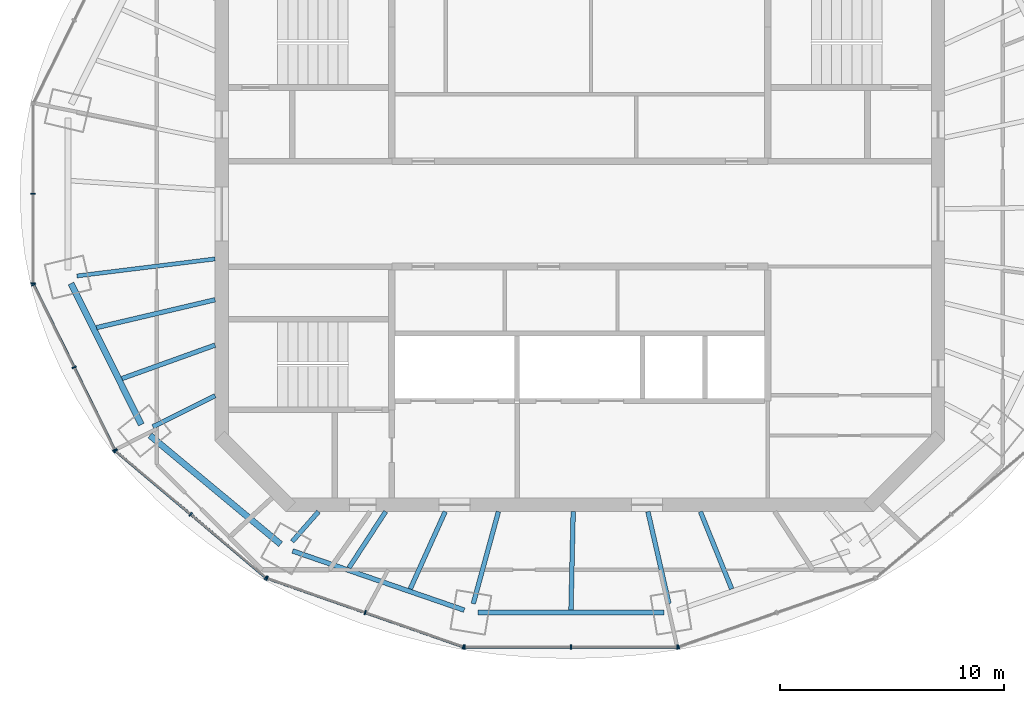
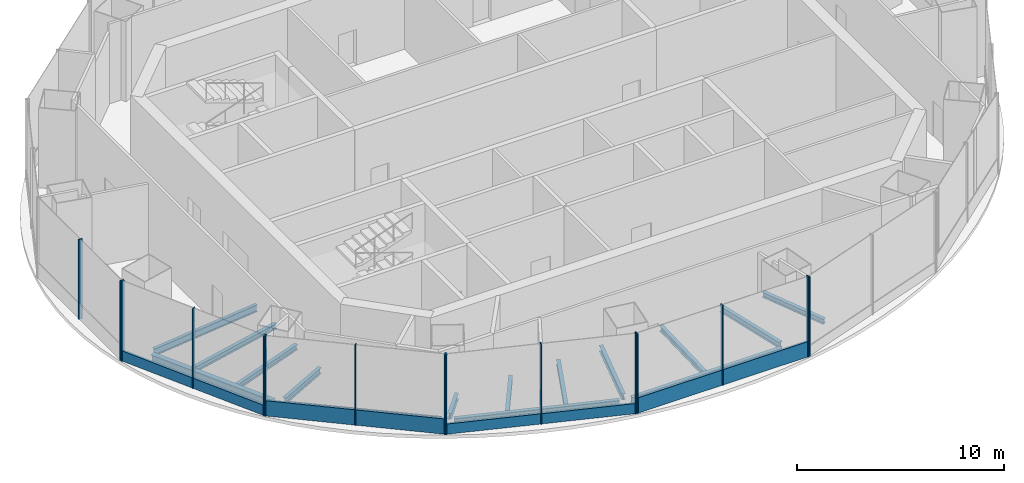
# One storey, part 2 of 11: 19 members, 15 beams, 6 elements without a shape of their own.
"""IFC4 building model written with IfcOpenShell, lengths in metres."""

from ifc_helpers import new_model, si_unit, direction, frame, origin, origin_2d, place, context, subcontext, project, spatial, rectangle, i_section, extrude, material, material_profile, profile_set, type_object, element, aggregate, save


model = new_model("IFC4")

# Units and contexts
model_context = context("Model", 3, precision=1e-05, world=origin(), true_north=direction((0.0, 1.0)))
body_context = subcontext(model_context, "Body", "Model", "MODEL_VIEW")
ifc_project = project(units=[si_unit("LENGTHUNIT", "METRE"), si_unit("AREAUNIT", "SQUARE_METRE"), si_unit("VOLUMEUNIT", "CUBIC_METRE"), si_unit("PLANEANGLEUNIT", "RADIAN"), si_unit("MASSUNIT", "GRAM", prefix="KILO")], contexts=[model_context])

# Site, building, storey
site_placement = place(None, origin())
site = spatial("IfcSite", under=ifc_project, at=site_placement, CompositionType="ELEMENT")
building_placement = place(site_placement, origin())
building = spatial("IfcBuilding", under=site, at=building_placement, Name="Marenthal Gate Tower", CompositionType="ELEMENT")
storey_placement = place(building_placement, frame((0.0, 0.0, 418.550048828125)))
storey = spatial("IfcBuildingStorey", under=building, at=storey_placement, Name="L94", CompositionType="ELEMENT", Elevation=418.550048828125)

# Curtain wall, members
ifc_material_1 = material(Name="Aluminium and glass", Category="aluminium")
curtain_wall_type_1 = type_object("IfcCurtainWallType", Name="Curtain wall crown clad", PredefinedType="NOTDEFINED", material=ifc_material_1)
curtain_wall_1_placement = place(storey_placement, origin())
curtain_wall_1 = element("IfcCurtainWall", 1, at=curtain_wall_1_placement, inside=storey, type_object=curtain_wall_type_1, Name="Curtain wall L94 bay 9", PredefinedType="NOTDEFINED")
ifc_material_2 = material(Name="Aluminium", Category="aluminium")
ifc_material_profile_1 = material_profile(ifc_material_2, rectangle(XDim=0.199951171875, YDim=0.06005859375, at=origin_2d()), Name="60x200 aluminium mullion")
ifc_profile_set_1 = profile_set([ifc_material_profile_1], Name="Aluminium")
member_type_1 = type_object("IfcMemberType", Name="Mullion 60x200 crown clad", PredefinedType="MULLION", material=ifc_profile_set_1)
member_1_placement = place(storey_placement, frame((-24.4111328125, -3.1552734375, 0.0), z_axis=(0.0, 0.0, 1.0), x_axis=(0.897506856877, 0.441000500973, 0.0)))
member_1 = element("IfcMember", 2, at=member_1_placement, type_object=member_type_1, Name="Mullion L94 bay 9.1", PredefinedType="MULLION", context=body_context, shape_type="SweptSolid", body=[
    extrude(rectangle(XDim=0.199951171875, YDim=0.06005859375, at=origin_2d()), origin(), (0.0, 0.0, 1.0), 4.699951171875),
])
member_2_placement = place(storey_placement, frame((-22.595458984375, -6.85009765625, 0.0), z_axis=(0.0, 0.0, 1.0), x_axis=(0.897506856877, 0.441000500973, 0.0)))
member_2 = element("IfcMember", 3, at=member_2_placement, type_object=member_type_1, Name="Mullion L94 bay 9.2", PredefinedType="MULLION", context=body_context, shape_type="SweptSolid", body=[
    extrude(rectangle(XDim=0.199951171875, YDim=0.06005859375, at=origin_2d()), origin(), (0.0, 0.0, 1.0), 4.699951171875),
])
member_3_placement = place(storey_placement, frame((-20.780029296875, -10.544921875, 0.0), z_axis=(0.0, 0.0, 1.0), x_axis=(0.897506856877, 0.441000500973, 0.0)))
member_3 = element("IfcMember", 4, at=member_3_placement, type_object=member_type_1, Name="Mullion L94 bay 9.3", PredefinedType="MULLION", context=body_context, shape_type="SweptSolid", body=[
    extrude(rectangle(XDim=0.199951171875, YDim=0.06005859375, at=origin_2d()), origin(), (0.0, 0.0, 1.0), 4.699951171875),
])

curtain_wall_2_placement = place(storey_placement, origin())
curtain_wall_2 = element("IfcCurtainWall", 5, at=curtain_wall_2_placement, inside=storey, type_object=curtain_wall_type_1, Name="Curtain wall L94 bay 11", PredefinedType="NOTDEFINED")
member_4_placement = place(storey_placement, frame((-13.98046875, -16.27880859375, 0.0), z_axis=(0.0, 0.0, 1.0), x_axis=(0.329654999466, 0.944101467707, 0.0)))
member_4 = element("IfcMember", 6, at=member_4_placement, type_object=member_type_1, Name="Mullion L94 bay 11.1", PredefinedType="MULLION", context=body_context, shape_type="SweptSolid", body=[
    extrude(rectangle(XDim=0.199951171875, YDim=0.06005859375, at=origin_2d()), origin(), (0.0, 0.0, 1.0), 4.699951171875),
])
member_5_placement = place(storey_placement, frame((-9.59375, -17.810546875, 0.0), z_axis=(0.0, 0.0, 1.0), x_axis=(0.329654999466, 0.944101467707, 0.0)))
member_5 = element("IfcMember", 7, at=member_5_placement, type_object=member_type_1, Name="Mullion L94 bay 11.2", PredefinedType="MULLION", context=body_context, shape_type="SweptSolid", body=[
    extrude(rectangle(XDim=0.199951171875, YDim=0.06005859375, at=origin_2d()), origin(), (0.0, 0.0, 1.0), 4.699951171875),
])
member_6_placement = place(storey_placement, frame((-5.20703125, -19.34228515625, 0.0), z_axis=(0.0, 0.0, 1.0), x_axis=(0.329654999466, 0.944101467707, 0.0)))
member_6 = element("IfcMember", 8, at=member_6_placement, type_object=member_type_1, Name="Mullion L94 bay 11.3", PredefinedType="MULLION", context=body_context, shape_type="SweptSolid", body=[
    extrude(rectangle(XDim=0.199951171875, YDim=0.06005859375, at=origin_2d()), origin(), (0.0, 0.0, 1.0), 4.699951171875),
])

# Curtain wall, member
curtain_wall_3_placement = place(storey_placement, origin())
curtain_wall_3 = element("IfcCurtainWall", 9, at=curtain_wall_3_placement, inside=storey, type_object=curtain_wall_type_1, Name="Curtain wall L94 bay 13", PredefinedType="NOTDEFINED")
member_7_placement = place(storey_placement, frame((4.406982421875, -19.34228515625, 0.0), z_axis=(0.0, 0.0, 1.0), x_axis=(-0.329654999466, 0.944101467707, 0.0)))
member_7 = element("IfcMember", 10, at=member_7_placement, type_object=member_type_1, Name="Mullion L94 bay 13.1", PredefinedType="MULLION", context=body_context, shape_type="SweptSolid", body=[
    extrude(rectangle(XDim=0.199951171875, YDim=0.06005859375, at=origin_2d()), origin(), (0.0, 0.0, 1.0), 4.699951171875),
])
aggregate(curtain_wall_3, [member_7])

# Curtain wall, members
ifc_material_3 = material(Name="Aluminium and glass", Category="aluminium")
curtain_wall_type_2 = type_object("IfcCurtainWallType", Name="Curtain wall typical high", PredefinedType="NOTDEFINED", material=ifc_material_3)
curtain_wall_4_placement = place(storey_placement, origin())
curtain_wall_4 = element("IfcCurtainWall", 11, at=curtain_wall_4_placement, inside=storey, type_object=curtain_wall_type_2, Name="Curtain wall L94 bay 8", PredefinedType="NOTDEFINED")
ifc_material_4 = material(Name="Aluminium", Category="aluminium")
ifc_material_profile_2 = material_profile(ifc_material_4, rectangle(XDim=0.199951171875, YDim=0.06005859375, at=origin_2d()), Name="60x200 aluminium mullion")
ifc_profile_set_2 = profile_set([ifc_material_profile_2], Name="Aluminium")
member_type_2 = type_object("IfcMemberType", Name="Mullion 60x200 typical high", PredefinedType="MULLION", material=ifc_profile_set_2)
member_8_placement = place(storey_placement, frame((-24.42431640625, 0.89990234375, 0.0), z_axis=(0.0, 0.0, 1.0), x_axis=(1.0, 0.0, 0.0)))
member_8 = element("IfcMember", 12, at=member_8_placement, type_object=member_type_2, Name="Mullion L94 bay 8.2", PredefinedType="MULLION", context=body_context, shape_type="SweptSolid", body=[
    extrude(rectangle(XDim=0.199951171875, YDim=0.06005859375, at=origin_2d()), origin(), (0.0, 0.0, 1.0), 4.699951171875),
])
member_9_placement = place(storey_placement, frame((-24.42431640625, -3.098388671875, 0.0), z_axis=(0.0, 0.0, 1.0), x_axis=(1.0, 0.0, 0.0)))
member_9 = element("IfcMember", 13, at=member_9_placement, type_object=member_type_2, Name="Mullion L94 bay 8.3", PredefinedType="MULLION", context=body_context, shape_type="SweptSolid", body=[
    extrude(rectangle(XDim=0.199951171875, YDim=0.06005859375, at=origin_2d()), origin(), (0.0, 0.0, 1.0), 4.699951171875),
])
aggregate(curtain_wall_4, [member_8, member_9])

curtain_wall_5_placement = place(storey_placement, origin())
curtain_wall_5 = element("IfcCurtainWall", 14, at=curtain_wall_5_placement, inside=storey, type_object=curtain_wall_type_2, Name="Curtain wall L94 bay 10", PredefinedType="NOTDEFINED")
member_10_placement = place(storey_placement, frame((-20.743896484375, -10.59130859375, 0.0), z_axis=(0.0, 0.0, 1.0), x_axis=(0.644530734274, 0.76457840185, 0.0)))
member_10 = element("IfcMember", 15, at=member_10_placement, type_object=member_type_2, Name="Mullion L94 bay 10.1", PredefinedType="MULLION", context=body_context, shape_type="SweptSolid", body=[
    extrude(rectangle(XDim=0.199951171875, YDim=0.06005859375, at=origin_2d()), origin(), (0.0, 0.0, 1.0), 4.699951171875),
])
member_11_placement = place(storey_placement, frame((-17.3876953125, -13.42041015625, 0.0), z_axis=(0.0, 0.0, 1.0), x_axis=(0.644530734274, 0.76457840185, 0.0)))
member_11 = element("IfcMember", 16, at=member_11_placement, type_object=member_type_2, Name="Mullion L94 bay 10.2", PredefinedType="MULLION", context=body_context, shape_type="SweptSolid", body=[
    extrude(rectangle(XDim=0.199951171875, YDim=0.06005859375, at=origin_2d()), origin(), (0.0, 0.0, 1.0), 4.699951171875),
])
member_12_placement = place(storey_placement, frame((-14.03173828125, -16.249755859375, 0.0), z_axis=(0.0, 0.0, 1.0), x_axis=(0.644530734274, 0.76457840185, 0.0)))
member_12 = element("IfcMember", 17, at=member_12_placement, type_object=member_type_2, Name="Mullion L94 bay 10.3", PredefinedType="MULLION", context=body_context, shape_type="SweptSolid", body=[
    extrude(rectangle(XDim=0.199951171875, YDim=0.06005859375, at=origin_2d()), origin(), (0.0, 0.0, 1.0), 4.699951171875),
])

curtain_wall_6_placement = place(storey_placement, origin())
curtain_wall_6 = element("IfcCurtainWall", 18, at=curtain_wall_6_placement, inside=storey, type_object=curtain_wall_type_2, Name="Curtain wall L94 bay 12", PredefinedType="NOTDEFINED")
member_13_placement = place(storey_placement, frame((-5.148681640625, -19.352294921875, 0.0), z_axis=(0.0, 0.0, 1.0), x_axis=(0.0, 1.0, 0.0)))
member_13 = element("IfcMember", 19, at=member_13_placement, type_object=member_type_2, Name="Mullion L94 bay 12.1", PredefinedType="MULLION", context=body_context, shape_type="SweptSolid", body=[
    extrude(rectangle(XDim=0.199951171875, YDim=0.06005859375, at=origin_2d()), origin(), (0.0, 0.0, 1.0), 4.699951171875),
])
member_14_placement = place(storey_placement, frame((-0.39990234375, -19.352294921875, 0.0), z_axis=(0.0, 0.0, 1.0), x_axis=(0.0, 1.0, 0.0)))
member_14 = element("IfcMember", 20, at=member_14_placement, type_object=member_type_2, Name="Mullion L94 bay 12.2", PredefinedType="MULLION", context=body_context, shape_type="SweptSolid", body=[
    extrude(rectangle(XDim=0.199951171875, YDim=0.06005859375, at=origin_2d()), origin(), (0.0, 0.0, 1.0), 4.699951171875),
])
member_15_placement = place(storey_placement, frame((4.3486328125, -19.352294921875, 0.0), z_axis=(0.0, 0.0, 1.0), x_axis=(0.0, 1.0, 0.0)))
member_15 = element("IfcMember", 21, at=member_15_placement, type_object=member_type_2, Name="Mullion L94 bay 12.3", PredefinedType="MULLION", context=body_context, shape_type="SweptSolid", body=[
    extrude(rectangle(XDim=0.199951171875, YDim=0.06005859375, at=origin_2d()), origin(), (0.0, 0.0, 1.0), 4.699951171875),
])

# Member
ifc_material_5 = material(Name="Aluminium", Category="aluminium")
ifc_material_profile_3 = material_profile(ifc_material_5, rectangle(XDim=0.1201171875, YDim=0.60009765625, at=origin_2d()), Name="120x600 aluminium transom")
ifc_profile_set_3 = profile_set([ifc_material_profile_3], Name="Aluminium")
member_type_3 = type_object("IfcMemberType", Name="Transom 120x600 crown clad", PredefinedType="USERDEFINED", material=ifc_profile_set_3)
member_16_placement = place(storey_placement, frame((-24.39794921875, -3.18212890625, 0.300048828125), z_axis=(0.441014057182, -0.897500195748, 0.0), x_axis=(0.897500195748, 0.441014057182, 0.0)))
member_16 = element("IfcMember", 22, at=member_16_placement, type_object=member_type_3, Name="Transom L94 bay 9", ObjectType="TRANSOM", PredefinedType="USERDEFINED", context=body_context, shape_type="SweptSolid", body=[
    extrude(rectangle(XDim=0.1201171875, YDim=0.60009765625, at=origin_2d()), origin(), (0.0, 0.0, 1.0), 8.173828125),
])

aggregate(curtain_wall_1, [member_1, member_2, member_3, member_16])

member_17_placement = place(storey_placement, frame((-13.9521484375, -16.288818359375, 0.300048828125), z_axis=(0.944100501028, -0.329657767934, 0.0), x_axis=(0.329657767934, 0.944100501028, 0.0)))
member_17 = element("IfcMember", 23, at=member_17_placement, type_object=member_type_3, Name="Transom L94 bay 11", ObjectType="TRANSOM", PredefinedType="USERDEFINED", context=body_context, shape_type="SweptSolid", body=[
    extrude(rectangle(XDim=0.1201171875, YDim=0.60009765625, at=origin_2d()), origin(), (0.0, 0.0, 1.0), 9.23291015625),
])

aggregate(curtain_wall_2, [member_4, member_5, member_6, member_17])

ifc_material_6 = material(Name="Aluminium", Category="aluminium")
ifc_material_profile_4 = material_profile(ifc_material_6, rectangle(XDim=0.1201171875, YDim=0.89990234375, at=origin_2d()), Name="120x900 aluminium transom")
ifc_profile_set_4 = profile_set([ifc_material_profile_4], Name="Aluminium")
member_type_4 = type_object("IfcMemberType", Name="Transom 120x900 typical high", PredefinedType="USERDEFINED", material=ifc_profile_set_4)
member_18_placement = place(storey_placement, frame((-20.720947265625, -10.610595703125, 0.449951171875), z_axis=(0.76457562332, -0.644534030308, 0.0), x_axis=(0.644534030308, 0.76457562332, 0.0)))
member_18 = element("IfcMember", 24, at=member_18_placement, type_object=member_type_4, Name="Transom L94 bay 10", ObjectType="TRANSOM", PredefinedType="USERDEFINED", context=body_context, shape_type="SweptSolid", body=[
    extrude(rectangle(XDim=0.1201171875, YDim=0.89990234375, at=origin_2d()), origin(), (0.0, 0.0, 1.0), 8.718994140625),
])

aggregate(curtain_wall_5, [member_10, member_11, member_12, member_18])

member_19_placement = place(storey_placement, frame((-5.11865234375, -19.352294921875, 0.449951171875), z_axis=(1.0, 0.0, 0.0), x_axis=(0.0, 1.0, 0.0)))
member_19 = element("IfcMember", 25, at=member_19_placement, type_object=member_type_4, Name="Transom L94 bay 12", ObjectType="TRANSOM", PredefinedType="USERDEFINED", context=body_context, shape_type="SweptSolid", body=[
    extrude(rectangle(XDim=0.1201171875, YDim=0.89990234375, at=origin_2d()), origin(), (0.0, 0.0, 1.0), 9.437255859375),
])

aggregate(curtain_wall_6, [member_13, member_14, member_15, member_19])

# Beams
ifc_material_7 = material(Name="Steel S355", Category="steel")
ifc_material_profile_5 = material_profile(ifc_material_7, i_section(OverallWidth=0.205078125, OverallDepth=0.31005859375, WebThickness=0.009521484375, FlangeThickness=0.016357421875, FilletRadius=0.0126953125, at=origin_2d()), Name="W310X74")
ifc_profile_set_5 = profile_set([ifc_material_profile_5], Name="Steel S355")
beam_type_1 = type_object("IfcBeamType", Name="W310X74 beam", PredefinedType="BEAM", material=ifc_profile_set_5)
beam_1_placement = place(storey_placement, frame((-21.5947265625, -5.07861328125, -0.35498046875), z_axis=(0.97344541711, 0.228919243199, 0.0), x_axis=(-0.228919243199, 0.97344541711, 0.0)))
element("IfcBeam", 26, at=beam_1_placement, inside=storey, type_object=beam_type_1, Name="BM-L94-27", PredefinedType="BEAM", context=body_context, shape_type="SweptSolid", body=[
    extrude(i_section(OverallWidth=0.205078125, OverallDepth=0.31005859375, WebThickness=0.009521484375, FlangeThickness=0.016357421875, FilletRadius=0.0126953125, at=origin_2d()), origin(), (0.0, 0.0, 1.0), 5.439208984375),
])
beam_2_placement = place(storey_placement, frame((-20.46142578125, -7.35546875, -0.35498046875), z_axis=(0.941031604102, 0.338318666468, 0.0), x_axis=(-0.338318666468, 0.941031604102, 0.0)))
element("IfcBeam", 27, at=beam_2_placement, inside=storey, type_object=beam_type_1, Name="BM-L94-28", PredefinedType="BEAM", context=body_context, shape_type="SweptSolid", body=[
    extrude(i_section(OverallWidth=0.205078125, OverallDepth=0.31005859375, WebThickness=0.009521484375, FlangeThickness=0.016357421875, FilletRadius=0.0126953125, at=origin_2d()), origin(), (0.0, 0.0, 1.0), 4.422119140625),
])
beam_3_placement = place(storey_placement, frame((-10.317626953125, -15.812744140625, -0.35498046875), z_axis=(0.546486189649, 0.837468115526, 0.0), x_axis=(-0.837468115526, 0.546486189649, 0.0)))
element("IfcBeam", 28, at=beam_3_placement, inside=storey, type_object=beam_type_1, Name="BM-L94-29", PredefinedType="BEAM", context=body_context, shape_type="SweptSolid", body=[
    extrude(i_section(OverallWidth=0.205078125, OverallDepth=0.31005859375, WebThickness=0.009521484375, FlangeThickness=0.016357421875, FilletRadius=0.0126953125, at=origin_2d()), origin(), (0.0, 0.0, 1.0), 3.000244140625),
])
beam_4_placement = place(storey_placement, frame((-7.580078125, -16.756591796875, -0.35498046875), z_axis=(0.412124623334, 0.911127485504, 0.0), x_axis=(-0.911127485504, 0.412124623334, 0.0)))
element("IfcBeam", 29, at=beam_4_placement, inside=storey, type_object=beam_type_1, Name="BM-L94-30", PredefinedType="BEAM", context=body_context, shape_type="SweptSolid", body=[
    extrude(i_section(OverallWidth=0.205078125, OverallDepth=0.31005859375, WebThickness=0.009521484375, FlangeThickness=0.016357421875, FilletRadius=0.0126953125, at=origin_2d()), origin(), (0.0, 0.0, 1.0), 3.793701171875),
])
beam_5_placement = place(storey_placement, frame((-0.397705078125, -17.696533203125, -0.35498046875), z_axis=(0.022484318874, 0.999747195747, 0.0), x_axis=(-0.999747195747, 0.022484318874, 0.0)))
element("IfcBeam", 30, at=beam_5_placement, inside=storey, type_object=beam_type_1, Name="BM-L94-31", PredefinedType="BEAM", context=body_context, shape_type="SweptSolid", body=[
    extrude(i_section(OverallWidth=0.205078125, OverallDepth=0.31005859375, WebThickness=0.009521484375, FlangeThickness=0.016357421875, FilletRadius=0.0126953125, at=origin_2d()), origin(), (0.0, 0.0, 1.0), 4.397705078125),
])
beam_6_placement = place(storey_placement, frame((6.7841796875, -16.755126953125, -0.35498046875), z_axis=(-0.37529458919, 0.926905589218, 0.0), x_axis=(-0.926905589218, -0.37529458919, 0.0)))
element("IfcBeam", 31, at=beam_6_placement, inside=storey, type_object=beam_type_1, Name="BM-L94-32", PredefinedType="BEAM", context=body_context, shape_type="SweptSolid", body=[
    extrude(i_section(OverallWidth=0.205078125, OverallDepth=0.31005859375, WebThickness=0.009521484375, FlangeThickness=0.016357421875, FilletRadius=0.0126953125, at=origin_2d()), origin(), (0.0, 0.0, 1.0), 3.7275390625),
])
ifc_material_8 = material(Name="Steel S355", Category="steel")
ifc_material_profile_6 = material_profile(ifc_material_8, i_section(OverallWidth=0.205078125, OverallDepth=0.35302734375, WebThickness=0.009521484375, FlangeThickness=0.016845703125, FilletRadius=0.014892578125, at=origin_2d()), Name="W360X79")
ifc_profile_set_6 = profile_set([ifc_material_profile_6], Name="Steel S355")
beam_type_2 = type_object("IfcBeamType", Name="W360X79 beam", PredefinedType="BEAM", material=ifc_profile_set_6)
beam_7_placement = place(storey_placement, frame((-19.076171875, -9.50634765625, -0.37646484375), z_axis=(0.895008884768, 0.446048311493, 0.0), x_axis=(-0.446048311493, 0.895008884768, 0.0)))
element("IfcBeam", 32, at=beam_7_placement, inside=storey, type_object=beam_type_2, Name="BM-L94-10", PredefinedType="BEAM", context=body_context, shape_type="SweptSolid", body=[
    extrude(i_section(OverallWidth=0.205078125, OverallDepth=0.35302734375, WebThickness=0.009521484375, FlangeThickness=0.016845703125, FilletRadius=0.014892578125, at=origin_2d()), origin(), (0.0, 0.0, 1.0), 3.101806640625),
])
beam_8_placement = place(storey_placement, frame((-12.853271484375, -14.638916015625, -0.37646484375), z_axis=(0.659861555011, 0.751387202592, 0.0), x_axis=(-0.751387202592, 0.659861555011, 0.0)))
element("IfcBeam", 33, at=beam_8_placement, inside=storey, type_object=beam_type_2, Name="BM-L94-11", PredefinedType="BEAM", context=body_context, shape_type="SweptSolid", body=[
    extrude(i_section(OverallWidth=0.205078125, OverallDepth=0.35302734375, WebThickness=0.009521484375, FlangeThickness=0.016845703125, FilletRadius=0.014892578125, at=origin_2d()), origin(), (0.0, 0.0, 1.0), 1.781982421875),
])
beam_9_placement = place(storey_placement, frame((-4.763671875, -17.412109375, -0.37646484375), z_axis=(0.263887787534, 0.964553386594, 0.0), x_axis=(-0.964553386594, 0.263887787534, 0.0)))
element("IfcBeam", 34, at=beam_9_placement, inside=storey, type_object=beam_type_2, Name="BM-L94-12", PredefinedType="BEAM", context=body_context, shape_type="SweptSolid", body=[
    extrude(i_section(OverallWidth=0.205078125, OverallDepth=0.35302734375, WebThickness=0.009521484375, FlangeThickness=0.016845703125, FilletRadius=0.014892578125, at=origin_2d()), origin(), (0.0, 0.0, 1.0), 4.26318359375),
])
beam_10_placement = place(storey_placement, frame((3.98095703125, -17.410888671875, -0.37646484375), z_axis=(-0.222897113938, 0.974841975193, 0.0), x_axis=(-0.974841975193, -0.222897113938, 0.0)))
element("IfcBeam", 35, at=beam_10_placement, inside=storey, type_object=beam_type_2, Name="BM-L94-13", PredefinedType="BEAM", context=body_context, shape_type="SweptSolid", body=[
    extrude(i_section(OverallWidth=0.205078125, OverallDepth=0.35302734375, WebThickness=0.009521484375, FlangeThickness=0.016845703125, FilletRadius=0.014892578125, at=origin_2d()), origin(), (0.0, 0.0, 1.0), 4.217041015625),
])
ifc_material_9 = material(Name="Steel S355", Category="steel")
ifc_material_profile_7 = material_profile(ifc_material_9, i_section(OverallWidth=0.180908203125, OverallDepth=0.4169921875, WebThickness=0.010986328125, FlangeThickness=0.018310546875, FilletRadius=0.01025390625, at=origin_2d()), Name="W410X85")
ifc_profile_set_7 = profile_set([ifc_material_profile_7], Name="Steel S355")
beam_type_3 = type_object("IfcBeamType", Name="W410X85 beam", PredefinedType="BEAM", material=ifc_profile_set_7)
beam_11_placement = place(storey_placement, frame((-22.471923828125, -2.7705078125, -0.408447265625), z_axis=(0.99248425873, 0.12237236687, 0.0), x_axis=(-0.12237236687, 0.99248425873, 0.0)))
element("IfcBeam", 36, at=beam_11_placement, inside=storey, type_object=beam_type_3, Name="BM-L94-09", PredefinedType="BEAM", context=body_context, shape_type="SweptSolid", body=[
    extrude(i_section(OverallWidth=0.180908203125, OverallDepth=0.4169921875, WebThickness=0.010986328125, FlangeThickness=0.018310546875, FilletRadius=0.01025390625, at=origin_2d()), origin(), (0.0, 0.0, 1.0), 6.218505859375),
])
ifc_material_10 = material(Name="Steel S355", Category="steel")
ifc_material_profile_8 = material_profile(ifc_material_10, i_section(OverallWidth=0.279052734375, OverallDepth=0.4619140625, WebThickness=0.0107421875, FlangeThickness=0.017333984375, FilletRadius=0.010009765625, at=origin_2d()), Name="W460X113")
ifc_profile_set_8 = profile_set([ifc_material_profile_8], Name="Steel S355")
beam_type_4 = type_object("IfcBeamType", Name="W460X113 beam", PredefinedType="BEAM", material=ifc_profile_set_8)
beam_12_placement = place(storey_placement, frame((-22.731689453125, -3.107666015625, -0.43115234375), z_axis=(0.44561730548, -0.895223557027, 0.0), x_axis=(0.895223557027, 0.44561730548, 0.0)))
element("IfcBeam", 37, at=beam_12_placement, inside=storey, type_object=beam_type_4, Name="BM-L94-44", PredefinedType="BEAM", context=body_context, shape_type="SweptSolid", body=[
    extrude(i_section(OverallWidth=0.279052734375, OverallDepth=0.4619140625, WebThickness=0.0107421875, FlangeThickness=0.017333984375, FilletRadius=0.010009765625, at=origin_2d()), origin(), (0.0, 0.0, 1.0), 7.03857421875),
])
beam_13_placement = place(storey_placement, frame((-19.2099609375, -9.896484375, -0.43115234375), z_axis=(0.768661139808, -0.639656198398, 0.0), x_axis=(0.639656198398, 0.768661139808, 0.0)))
element("IfcBeam", 38, at=beam_13_placement, inside=storey, type_object=beam_type_4, Name="BM-L94-45", PredefinedType="BEAM", context=body_context, shape_type="SweptSolid", body=[
    extrude(i_section(OverallWidth=0.279052734375, OverallDepth=0.4619140625, WebThickness=0.0107421875, FlangeThickness=0.017333984375, FilletRadius=0.010009765625, at=origin_2d()), origin(), (0.0, 0.0, 1.0), 7.594482421875),
])
ifc_material_11 = material(Name="Steel S355", Category="steel")
ifc_material_profile_9 = material_profile(ifc_material_11, i_section(OverallWidth=0.2119140625, OverallDepth=0.5439453125, WebThickness=0.01318359375, FlangeThickness=0.021240234375, FilletRadius=0.0126953125, at=origin_2d()), Name="W530X123")
ifc_profile_set_9 = profile_set([ifc_material_profile_9], Name="Steel S355")
beam_type_5 = type_object("IfcBeamType", Name="W530X123 beam", PredefinedType="BEAM", material=ifc_profile_set_9)
beam_14_placement = place(storey_placement, frame((-12.83544921875, -15.05712890625, -0.47216796875), z_axis=(0.945411347575, -0.325879400816, 0.0), x_axis=(0.325879400816, 0.945411347575, 0.0)))
element("IfcBeam", 39, at=beam_14_placement, inside=storey, type_object=beam_type_5, Name="BM-L94-46", PredefinedType="BEAM", context=body_context, shape_type="SweptSolid", body=[
    extrude(i_section(OverallWidth=0.2119140625, OverallDepth=0.5439453125, WebThickness=0.01318359375, FlangeThickness=0.021240234375, FilletRadius=0.0126953125, at=origin_2d()), origin(), (0.0, 0.0, 1.0), 8.113525390625),
])
beam_15_placement = place(storey_placement, frame((-4.5595703125, -17.802490234375, -0.47216796875), z_axis=(1.0, 0.0, 0.0), x_axis=(0.0, 1.0, 0.0)))
element("IfcBeam", 40, at=beam_15_placement, inside=storey, type_object=beam_type_5, Name="BM-L94-47", PredefinedType="BEAM", context=body_context, shape_type="SweptSolid", body=[
    extrude(i_section(OverallWidth=0.2119140625, OverallDepth=0.5439453125, WebThickness=0.01318359375, FlangeThickness=0.021240234375, FilletRadius=0.0126953125, at=origin_2d()), origin(), (0.0, 0.0, 1.0), 8.319091796875),
])

save(model, "model.ifc")
